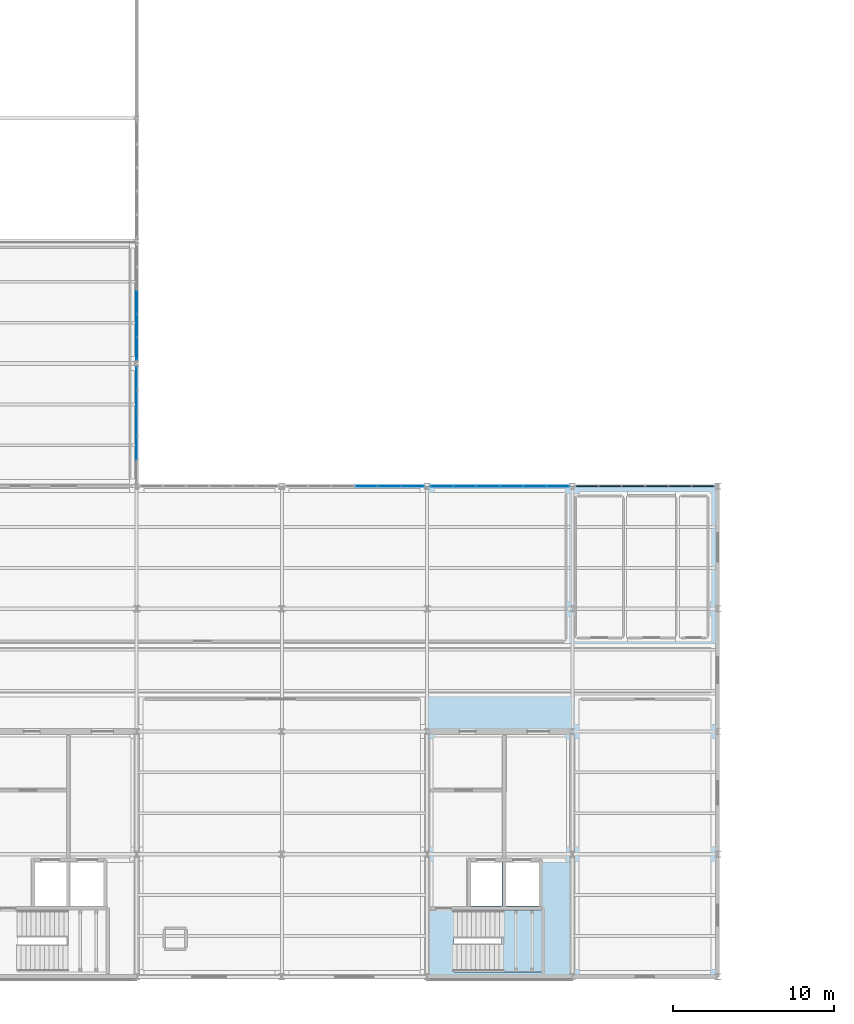
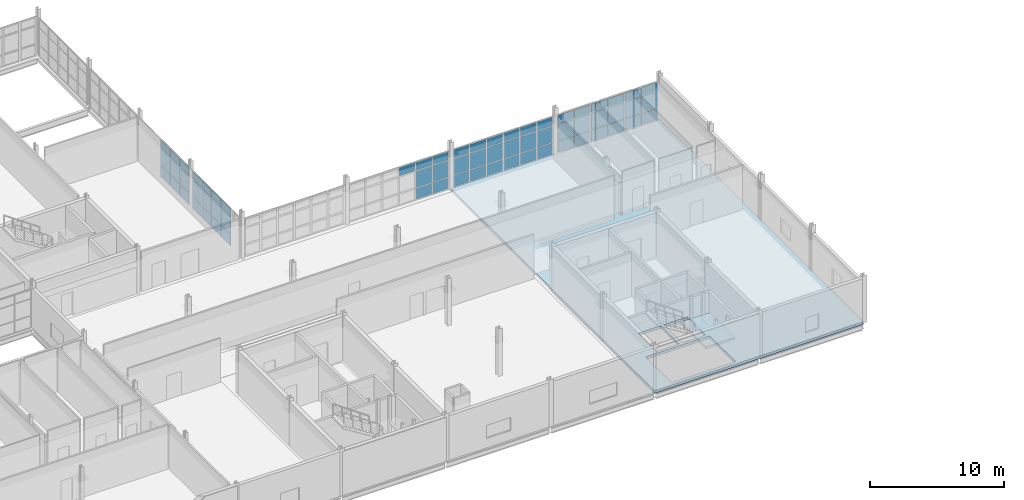
# One storey, part 132 of 174: 64 plates, 2 slabs, 6 elements without a shape of their own.
"""IFC4 building model written with IfcOpenShell, lengths in metres."""

from ifc_helpers import new_model, si_unit, direction, frame, origin, origin_2d, place, context, subcontext, project, spatial, polyline, rectangle, outline, extrude, material, layer, layer_set, type_object, element, aggregate, save


model = new_model("IFC4")

# Units and contexts
model_context = context("Model", 3, precision=1e-05, world=origin(), true_north=direction((0.0, 1.0)))
body_context = subcontext(model_context, "Body", "Model", "MODEL_VIEW")
ifc_project = project(units=[si_unit("LENGTHUNIT", "METRE"), si_unit("AREAUNIT", "SQUARE_METRE"), si_unit("VOLUMEUNIT", "CUBIC_METRE"), si_unit("PLANEANGLEUNIT", "RADIAN"), si_unit("MASSUNIT", "GRAM", prefix="KILO")], contexts=[model_context])

# Site, building, storey
site_placement = place(None, origin())
site = spatial("IfcSite", under=ifc_project, at=site_placement, CompositionType="ELEMENT")
building_placement = place(site_placement, origin())
building = spatial("IfcBuilding", under=site, at=building_placement, Name="Caisbarro Railhouse Central Library", CompositionType="ELEMENT")
storey_placement = place(building_placement, frame((0.0, 0.0, 5.0400390625)))
storey = spatial("IfcBuildingStorey", under=building, at=storey_placement, Name="L01", CompositionType="ELEMENT", Elevation=5.0400390625)

# Curtain wall, plates
ifc_material_1 = material(Name="Anodised architectural aluminium", Category="aluminium")
curtain_wall_type = type_object("IfcCurtainWallType", Name="CW-CW02", PredefinedType="NOTDEFINED", material=ifc_material_1)
curtain_wall_1_placement = place(storey_placement, origin())
curtain_wall_1 = element("IfcCurtainWall", 1, at=curtain_wall_1_placement, inside=storey, type_object=curtain_wall_type, Name="CW02 curtain wall L01 #30", PredefinedType="NOTDEFINED")
ifc_material_2 = material(Name="Double low-e laminated solar-control glass", Category="glass")
ifc_layer_1 = layer(ifc_material_2, 0.0380859375, Name="Double low-e laminated solar-control glass")
ifc_layer_set_1 = layer_set([ifc_layer_1], Name="Double low-e laminated solar-control glass")
plate_type_1 = type_object("IfcPlateType", Name="CWP-CP38", PredefinedType="CURTAIN_PANEL", material=ifc_layer_set_1)
plate_1_placement = place(storey_placement, frame((72.0, 32.743896484375, 0.06494140625), z_axis=(0.0, 0.0, 1.0), x_axis=(0.0, 1.0, 0.0)))
plate_1 = element("IfcPlate", 2, at=plate_1_placement, type_object=plate_type_1, Name="CW02 panel 2.1", PredefinedType="CURTAIN_PANEL", context=body_context, shape_type="SweptSolid", body=[
    extrude(rectangle(XDim=1.381103515625, YDim=0.0380859375, at=origin_2d()), origin(), (0.0, 0.0, 1.0), 1.0224609375),
])
plate_2_placement = place(storey_placement, frame((72.0, 32.743896484375, 1.15234375), z_axis=(0.0, 0.0, 1.0), x_axis=(0.0, 1.0, 0.0)))
plate_2 = element("IfcPlate", 3, at=plate_2_placement, type_object=plate_type_1, Name="CW02 panel 2.2", PredefinedType="CURTAIN_PANEL", context=body_context, shape_type="SweptSolid", body=[
    extrude(rectangle(XDim=1.381103515625, YDim=0.0380859375, at=origin_2d()), origin(), (0.0, 0.0, 1.0), 1.47509765625),
])
plate_3_placement = place(storey_placement, frame((72.0, 32.743896484375, 2.6923828125), z_axis=(0.0, 0.0, 1.0), x_axis=(0.0, 1.0, 0.0)))
plate_3 = element("IfcPlate", 4, at=plate_3_placement, type_object=plate_type_1, Name="CW02 panel 2.3", PredefinedType="CURTAIN_PANEL", context=body_context, shape_type="SweptSolid", body=[
    extrude(rectangle(XDim=1.381103515625, YDim=0.0380859375, at=origin_2d()), origin(), (0.0, 0.0, 1.0), 0.75244140625),
])
plate_4_placement = place(storey_placement, frame((72.0, 34.199951171875, 0.06494140625), z_axis=(0.0, 0.0, 1.0), x_axis=(0.0, 1.0, 0.0)))
plate_4 = element("IfcPlate", 5, at=plate_4_placement, type_object=plate_type_1, Name="CW02 panel 3.1", PredefinedType="CURTAIN_PANEL", context=body_context, shape_type="SweptSolid", body=[
    extrude(rectangle(XDim=1.381103515625, YDim=0.0380859375, at=origin_2d()), origin(), (0.0, 0.0, 1.0), 1.0224609375),
])
plate_5_placement = place(storey_placement, frame((72.0, 34.199951171875, 1.15234375), z_axis=(0.0, 0.0, 1.0), x_axis=(0.0, 1.0, 0.0)))
plate_5 = element("IfcPlate", 6, at=plate_5_placement, type_object=plate_type_1, Name="CW02 panel 3.2", PredefinedType="CURTAIN_PANEL", context=body_context, shape_type="SweptSolid", body=[
    extrude(rectangle(XDim=1.381103515625, YDim=0.0380859375, at=origin_2d()), origin(), (0.0, 0.0, 1.0), 1.47509765625),
])
plate_6_placement = place(storey_placement, frame((72.0, 34.199951171875, 2.6923828125), z_axis=(0.0, 0.0, 1.0), x_axis=(0.0, 1.0, 0.0)))
plate_6 = element("IfcPlate", 7, at=plate_6_placement, type_object=plate_type_1, Name="CW02 panel 3.3", PredefinedType="CURTAIN_PANEL", context=body_context, shape_type="SweptSolid", body=[
    extrude(rectangle(XDim=1.381103515625, YDim=0.0380859375, at=origin_2d()), origin(), (0.0, 0.0, 1.0), 0.75244140625),
])
plate_7_placement = place(storey_placement, frame((72.0, 35.656005859375, 0.06494140625), z_axis=(0.0, 0.0, 1.0), x_axis=(0.0, 1.0, 0.0)))
plate_7 = element("IfcPlate", 8, at=plate_7_placement, type_object=plate_type_1, Name="CW02 panel 4.1", PredefinedType="CURTAIN_PANEL", context=body_context, shape_type="SweptSolid", body=[
    extrude(rectangle(XDim=1.381103515625, YDim=0.0380859375, at=origin_2d()), origin(), (0.0, 0.0, 1.0), 1.0224609375),
])
plate_8_placement = place(storey_placement, frame((72.0, 35.656005859375, 1.15234375), z_axis=(0.0, 0.0, 1.0), x_axis=(0.0, 1.0, 0.0)))
plate_8 = element("IfcPlate", 9, at=plate_8_placement, type_object=plate_type_1, Name="CW02 panel 4.2", PredefinedType="CURTAIN_PANEL", context=body_context, shape_type="SweptSolid", body=[
    extrude(rectangle(XDim=1.381103515625, YDim=0.0380859375, at=origin_2d()), origin(), (0.0, 0.0, 1.0), 1.47509765625),
])
plate_9_placement = place(storey_placement, frame((72.0, 35.656005859375, 2.6923828125), z_axis=(0.0, 0.0, 1.0), x_axis=(0.0, 1.0, 0.0)))
plate_9 = element("IfcPlate", 10, at=plate_9_placement, type_object=plate_type_1, Name="CW02 panel 4.3", PredefinedType="CURTAIN_PANEL", context=body_context, shape_type="SweptSolid", body=[
    extrude(rectangle(XDim=1.381103515625, YDim=0.0380859375, at=origin_2d()), origin(), (0.0, 0.0, 1.0), 0.75244140625),
])
plate_10_placement = place(storey_placement, frame((72.0, 37.09326171875, 0.06494140625), z_axis=(0.0, 0.0, 1.0), x_axis=(0.0, 1.0, 0.0)))
plate_10 = element("IfcPlate", 11, at=plate_10_placement, type_object=plate_type_1, Name="CW02 panel 5.1", PredefinedType="CURTAIN_PANEL", context=body_context, shape_type="SweptSolid", body=[
    extrude(rectangle(XDim=1.343505859375, YDim=0.0380859375, at=origin_2d()), origin(), (0.0, 0.0, 1.0), 1.0224609375),
])
plate_11_placement = place(storey_placement, frame((72.0, 37.09326171875, 1.15234375), z_axis=(0.0, 0.0, 1.0), x_axis=(0.0, 1.0, 0.0)))
plate_11 = element("IfcPlate", 12, at=plate_11_placement, type_object=plate_type_1, Name="CW02 panel 5.2", PredefinedType="CURTAIN_PANEL", context=body_context, shape_type="SweptSolid", body=[
    extrude(rectangle(XDim=1.343505859375, YDim=0.0380859375, at=origin_2d()), origin(), (0.0, 0.0, 1.0), 1.47509765625),
])
plate_12_placement = place(storey_placement, frame((72.0, 37.09326171875, 2.6923828125), z_axis=(0.0, 0.0, 1.0), x_axis=(0.0, 1.0, 0.0)))
plate_12 = element("IfcPlate", 13, at=plate_12_placement, type_object=plate_type_1, Name="CW02 panel 5.3", PredefinedType="CURTAIN_PANEL", context=body_context, shape_type="SweptSolid", body=[
    extrude(rectangle(XDim=1.343505859375, YDim=0.0380859375, at=origin_2d()), origin(), (0.0, 0.0, 1.0), 0.75244140625),
])
aggregate(curtain_wall_1, [plate_1, plate_2, plate_3, plate_4, plate_5, plate_6, plate_7, plate_8, plate_9, plate_10, plate_11, plate_12])

curtain_wall_2_placement = place(storey_placement, origin())
curtain_wall_2 = element("IfcCurtainWall", 14, at=curtain_wall_2_placement, inside=storey, type_object=curtain_wall_type, Name="CW02 curtain wall L01 #31", PredefinedType="NOTDEFINED")
ifc_layer_2 = layer(ifc_material_2, 0.048095703125, Name="Double low-e laminated solar-control glass")
ifc_layer_set_2 = layer_set([ifc_layer_2], Name="Double low-e laminated solar-control glass")
plate_type_2 = type_object("IfcPlateType", Name="CWP-CP48", PredefinedType="CURTAIN_PANEL", material=ifc_layer_set_2)
plate_13_placement = place(storey_placement, frame((72.0, 38.90673828125, 0.06494140625), z_axis=(0.0, 0.0, 1.0), x_axis=(0.0, 1.0, 0.0)))
plate_13 = element("IfcPlate", 15, at=plate_13_placement, type_object=plate_type_2, Name="CW02 panel 1.1", PredefinedType="CURTAIN_PANEL", context=body_context, shape_type="SweptSolid", body=[
    extrude(rectangle(XDim=1.343505859375, YDim=0.048095703125, at=origin_2d()), origin(), (0.0, 0.0, 1.0), 1.0224609375),
])
plate_14_placement = place(storey_placement, frame((72.0, 38.90673828125, 1.15234375), z_axis=(0.0, 0.0, 1.0), x_axis=(0.0, 1.0, 0.0)))
plate_14 = element("IfcPlate", 16, at=plate_14_placement, type_object=plate_type_2, Name="CW02 panel 1.2", PredefinedType="CURTAIN_PANEL", context=body_context, shape_type="SweptSolid", body=[
    extrude(rectangle(XDim=1.343505859375, YDim=0.048095703125, at=origin_2d()), origin(), (0.0, 0.0, 1.0), 1.47509765625),
])
plate_15_placement = place(storey_placement, frame((72.0, 38.90673828125, 2.6923828125), z_axis=(0.0, 0.0, 1.0), x_axis=(0.0, 1.0, 0.0)))
plate_15 = element("IfcPlate", 17, at=plate_15_placement, type_object=plate_type_2, Name="CW02 panel 1.3", PredefinedType="CURTAIN_PANEL", context=body_context, shape_type="SweptSolid", body=[
    extrude(rectangle(XDim=1.343505859375, YDim=0.048095703125, at=origin_2d()), origin(), (0.0, 0.0, 1.0), 0.75244140625),
])
plate_16_placement = place(storey_placement, frame((72.0, 40.343994140625, 0.06494140625), z_axis=(0.0, 0.0, 1.0), x_axis=(0.0, 1.0, 0.0)))
plate_16 = element("IfcPlate", 18, at=plate_16_placement, type_object=plate_type_2, Name="CW02 panel 2.1", PredefinedType="CURTAIN_PANEL", context=body_context, shape_type="SweptSolid", body=[
    extrude(rectangle(XDim=1.381103515625, YDim=0.048095703125, at=origin_2d()), origin(), (0.0, 0.0, 1.0), 1.0224609375),
])
plate_17_placement = place(storey_placement, frame((72.0, 40.343994140625, 1.15234375), z_axis=(0.0, 0.0, 1.0), x_axis=(0.0, 1.0, 0.0)))
plate_17 = element("IfcPlate", 19, at=plate_17_placement, type_object=plate_type_2, Name="CW02 panel 2.2", PredefinedType="CURTAIN_PANEL", context=body_context, shape_type="SweptSolid", body=[
    extrude(rectangle(XDim=1.381103515625, YDim=0.048095703125, at=origin_2d()), origin(), (0.0, 0.0, 1.0), 1.47509765625),
])
plate_18_placement = place(storey_placement, frame((72.0, 40.343994140625, 2.6923828125), z_axis=(0.0, 0.0, 1.0), x_axis=(0.0, 1.0, 0.0)))
plate_18 = element("IfcPlate", 20, at=plate_18_placement, type_object=plate_type_2, Name="CW02 panel 2.3", PredefinedType="CURTAIN_PANEL", context=body_context, shape_type="SweptSolid", body=[
    extrude(rectangle(XDim=1.381103515625, YDim=0.048095703125, at=origin_2d()), origin(), (0.0, 0.0, 1.0), 0.75244140625),
])
plate_19_placement = place(storey_placement, frame((72.0, 41.800048828125, 0.06494140625), z_axis=(0.0, 0.0, 1.0), x_axis=(0.0, 1.0, 0.0)))
plate_19 = element("IfcPlate", 21, at=plate_19_placement, type_object=plate_type_2, Name="CW02 panel 3.1", PredefinedType="CURTAIN_PANEL", context=body_context, shape_type="SweptSolid", body=[
    extrude(rectangle(XDim=1.381103515625, YDim=0.048095703125, at=origin_2d()), origin(), (0.0, 0.0, 1.0), 1.0224609375),
])
plate_20_placement = place(storey_placement, frame((72.0, 41.800048828125, 1.15234375), z_axis=(0.0, 0.0, 1.0), x_axis=(0.0, 1.0, 0.0)))
plate_20 = element("IfcPlate", 22, at=plate_20_placement, type_object=plate_type_2, Name="CW02 panel 3.2", PredefinedType="CURTAIN_PANEL", context=body_context, shape_type="SweptSolid", body=[
    extrude(rectangle(XDim=1.381103515625, YDim=0.048095703125, at=origin_2d()), origin(), (0.0, 0.0, 1.0), 1.47509765625),
])
plate_21_placement = place(storey_placement, frame((72.0, 41.800048828125, 2.6923828125), z_axis=(0.0, 0.0, 1.0), x_axis=(0.0, 1.0, 0.0)))
plate_21 = element("IfcPlate", 23, at=plate_21_placement, type_object=plate_type_2, Name="CW02 panel 3.3", PredefinedType="CURTAIN_PANEL", context=body_context, shape_type="SweptSolid", body=[
    extrude(rectangle(XDim=1.381103515625, YDim=0.048095703125, at=origin_2d()), origin(), (0.0, 0.0, 1.0), 0.75244140625),
])
aggregate(curtain_wall_2, [plate_13, plate_14, plate_15, plate_16, plate_17, plate_18, plate_19, plate_20, plate_21])

curtain_wall_3_placement = place(storey_placement, origin())
curtain_wall_3 = element("IfcCurtainWall", 24, at=curtain_wall_3_placement, inside=storey, type_object=curtain_wall_type, Name="CW02 curtain wall L01 #55", PredefinedType="NOTDEFINED")
plate_22_placement = place(storey_placement, frame((86.223388671875, 30.39990234375, 2.697265625), z_axis=(0.0, 0.0, 1.0), x_axis=(1.0, 0.0, 0.0)))
plate_22 = element("IfcPlate", 25, at=plate_22_placement, type_object=plate_type_2, Name="CW02 panel 4.3", PredefinedType="CURTAIN_PANEL", context=body_context, shape_type="SweptSolid", body=[
    extrude(rectangle(XDim=1.381591796875, YDim=0.048095703125, at=origin_2d()), origin(), (0.0, 0.0, 1.0), 0.737548828125),
])
plate_23_placement = place(storey_placement, frame((87.669921875, 30.39990234375, 0.07470703125), z_axis=(0.0, 0.0, 1.0), x_axis=(1.0, 0.0, 0.0)))
plate_23 = element("IfcPlate", 26, at=plate_23_placement, type_object=plate_type_2, Name="CW02 panel 5.1", PredefinedType="CURTAIN_PANEL", context=body_context, shape_type="SweptSolid", body=[
    extrude(rectangle(XDim=1.381591796875, YDim=0.048095703125, at=origin_2d()), origin(), (0.0, 0.0, 1.0), 1.007568359375),
])
plate_24_placement = place(storey_placement, frame((87.669921875, 30.39990234375, 1.1572265625), z_axis=(0.0, 0.0, 1.0), x_axis=(1.0, 0.0, 0.0)))
plate_24 = element("IfcPlate", 27, at=plate_24_placement, type_object=plate_type_2, Name="CW02 panel 5.2", PredefinedType="CURTAIN_PANEL", context=body_context, shape_type="SweptSolid", body=[
    extrude(rectangle(XDim=1.381591796875, YDim=0.048095703125, at=origin_2d()), origin(), (0.0, 0.0, 1.0), 1.465087890625),
])
plate_25_placement = place(storey_placement, frame((87.669921875, 30.39990234375, 2.697265625), z_axis=(0.0, 0.0, 1.0), x_axis=(1.0, 0.0, 0.0)))
plate_25 = element("IfcPlate", 28, at=plate_25_placement, type_object=plate_type_2, Name="CW02 panel 5.3", PredefinedType="CURTAIN_PANEL", context=body_context, shape_type="SweptSolid", body=[
    extrude(rectangle(XDim=1.381591796875, YDim=0.048095703125, at=origin_2d()), origin(), (0.0, 0.0, 1.0), 0.737548828125),
])
plate_26_placement = place(storey_placement, frame((89.100341796875, 30.39990234375, 0.07470703125), z_axis=(0.0, 0.0, 1.0), x_axis=(1.0, 0.0, 0.0)))
plate_26 = element("IfcPlate", 29, at=plate_26_placement, type_object=plate_type_2, Name="CW02 panel 6.1", PredefinedType="CURTAIN_PANEL", context=body_context, shape_type="SweptSolid", body=[
    extrude(rectangle(XDim=1.34912109375, YDim=0.048095703125, at=origin_2d()), origin(), (0.0, 0.0, 1.0), 1.007568359375),
])
plate_27_placement = place(storey_placement, frame((89.100341796875, 30.39990234375, 1.1572265625), z_axis=(0.0, 0.0, 1.0), x_axis=(1.0, 0.0, 0.0)))
plate_27 = element("IfcPlate", 30, at=plate_27_placement, type_object=plate_type_2, Name="CW02 panel 6.2", PredefinedType="CURTAIN_PANEL", context=body_context, shape_type="SweptSolid", body=[
    extrude(rectangle(XDim=1.34912109375, YDim=0.048095703125, at=origin_2d()), origin(), (0.0, 0.0, 1.0), 1.465087890625),
])
plate_28_placement = place(storey_placement, frame((89.100341796875, 30.39990234375, 2.697265625), z_axis=(0.0, 0.0, 1.0), x_axis=(1.0, 0.0, 0.0)))
plate_28 = element("IfcPlate", 31, at=plate_28_placement, type_object=plate_type_2, Name="CW02 panel 6.3", PredefinedType="CURTAIN_PANEL", context=body_context, shape_type="SweptSolid", body=[
    extrude(rectangle(XDim=1.34912109375, YDim=0.048095703125, at=origin_2d()), origin(), (0.0, 0.0, 1.0), 0.737548828125),
])
aggregate(curtain_wall_3, [plate_22, plate_23, plate_24, plate_25, plate_26, plate_27, plate_28])

curtain_wall_4_placement = place(storey_placement, origin())
curtain_wall_4 = element("IfcCurtainWall", 32, at=curtain_wall_4_placement, inside=storey, type_object=curtain_wall_type, Name="CW02 curtain wall L01 #56", PredefinedType="NOTDEFINED")
ifc_layer_3 = layer(ifc_material_2, 0.05810546875, Name="Double low-e laminated solar-control glass")
ifc_layer_set_3 = layer_set([ifc_layer_3], Name="Double low-e laminated solar-control glass")
plate_type_3 = type_object("IfcPlateType", Name="CWP-CP58", PredefinedType="CURTAIN_PANEL", material=ifc_layer_set_3)
plate_29_placement = place(storey_placement, frame((90.902099609375, 30.39990234375, 0.07470703125), z_axis=(0.0, 0.0, 1.0), x_axis=(1.0, 0.0, 0.0)))
plate_29 = element("IfcPlate", 33, at=plate_29_placement, type_object=plate_type_3, Name="CW02 panel 1.1", PredefinedType="CURTAIN_PANEL", context=body_context, shape_type="SweptSolid", body=[
    extrude(rectangle(XDim=1.334228515625, YDim=0.05810546875, at=origin_2d()), origin(), (0.0, 0.0, 1.0), 1.007568359375),
])
plate_30_placement = place(storey_placement, frame((90.902099609375, 30.39990234375, 1.1572265625), z_axis=(0.0, 0.0, 1.0), x_axis=(1.0, 0.0, 0.0)))
plate_30 = element("IfcPlate", 34, at=plate_30_placement, type_object=plate_type_3, Name="CW02 panel 1.2", PredefinedType="CURTAIN_PANEL", context=body_context, shape_type="SweptSolid", body=[
    extrude(rectangle(XDim=1.334228515625, YDim=0.05810546875, at=origin_2d()), origin(), (0.0, 0.0, 1.0), 1.465087890625),
])
plate_31_placement = place(storey_placement, frame((90.902099609375, 30.39990234375, 2.697265625), z_axis=(0.0, 0.0, 1.0), x_axis=(1.0, 0.0, 0.0)))
plate_31 = element("IfcPlate", 35, at=plate_31_placement, type_object=plate_type_3, Name="CW02 panel 1.3", PredefinedType="CURTAIN_PANEL", context=body_context, shape_type="SweptSolid", body=[
    extrude(rectangle(XDim=1.334228515625, YDim=0.05810546875, at=origin_2d()), origin(), (0.0, 0.0, 1.0), 0.737548828125),
])
plate_32_placement = place(storey_placement, frame((92.330078125, 30.39990234375, 0.07470703125), z_axis=(0.0, 0.0, 1.0), x_axis=(1.0, 0.0, 0.0)))
plate_32 = element("IfcPlate", 36, at=plate_32_placement, type_object=plate_type_3, Name="CW02 panel 2.1", PredefinedType="CURTAIN_PANEL", context=body_context, shape_type="SweptSolid", body=[
    extrude(rectangle(XDim=1.37158203125, YDim=0.05810546875, at=origin_2d()), origin(), (0.0, 0.0, 1.0), 1.007568359375),
])
plate_33_placement = place(storey_placement, frame((92.330078125, 30.39990234375, 1.1572265625), z_axis=(0.0, 0.0, 1.0), x_axis=(1.0, 0.0, 0.0)))
plate_33 = element("IfcPlate", 37, at=plate_33_placement, type_object=plate_type_3, Name="CW02 panel 2.2", PredefinedType="CURTAIN_PANEL", context=body_context, shape_type="SweptSolid", body=[
    extrude(rectangle(XDim=1.37158203125, YDim=0.05810546875, at=origin_2d()), origin(), (0.0, 0.0, 1.0), 1.465087890625),
])
plate_34_placement = place(storey_placement, frame((92.330078125, 30.39990234375, 2.697265625), z_axis=(0.0, 0.0, 1.0), x_axis=(1.0, 0.0, 0.0)))
plate_34 = element("IfcPlate", 38, at=plate_34_placement, type_object=plate_type_3, Name="CW02 panel 2.3", PredefinedType="CURTAIN_PANEL", context=body_context, shape_type="SweptSolid", body=[
    extrude(rectangle(XDim=1.37158203125, YDim=0.05810546875, at=origin_2d()), origin(), (0.0, 0.0, 1.0), 0.737548828125),
])
plate_35_placement = place(storey_placement, frame((93.776611328125, 30.39990234375, 0.07470703125), z_axis=(0.0, 0.0, 1.0), x_axis=(1.0, 0.0, 0.0)))
plate_35 = element("IfcPlate", 39, at=plate_35_placement, type_object=plate_type_3, Name="CW02 panel 3.1", PredefinedType="CURTAIN_PANEL", context=body_context, shape_type="SweptSolid", body=[
    extrude(rectangle(XDim=1.37158203125, YDim=0.05810546875, at=origin_2d()), origin(), (0.0, 0.0, 1.0), 1.007568359375),
])
plate_36_placement = place(storey_placement, frame((93.776611328125, 30.39990234375, 1.1572265625), z_axis=(0.0, 0.0, 1.0), x_axis=(1.0, 0.0, 0.0)))
plate_36 = element("IfcPlate", 40, at=plate_36_placement, type_object=plate_type_3, Name="CW02 panel 3.2", PredefinedType="CURTAIN_PANEL", context=body_context, shape_type="SweptSolid", body=[
    extrude(rectangle(XDim=1.37158203125, YDim=0.05810546875, at=origin_2d()), origin(), (0.0, 0.0, 1.0), 1.465087890625),
])
plate_37_placement = place(storey_placement, frame((93.776611328125, 30.39990234375, 2.697265625), z_axis=(0.0, 0.0, 1.0), x_axis=(1.0, 0.0, 0.0)))
plate_37 = element("IfcPlate", 41, at=plate_37_placement, type_object=plate_type_3, Name="CW02 panel 3.3", PredefinedType="CURTAIN_PANEL", context=body_context, shape_type="SweptSolid", body=[
    extrude(rectangle(XDim=1.37158203125, YDim=0.05810546875, at=origin_2d()), origin(), (0.0, 0.0, 1.0), 0.737548828125),
])
plate_38_placement = place(storey_placement, frame((95.223388671875, 30.39990234375, 0.07470703125), z_axis=(0.0, 0.0, 1.0), x_axis=(1.0, 0.0, 0.0)))
plate_38 = element("IfcPlate", 42, at=plate_38_placement, type_object=plate_type_3, Name="CW02 panel 4.1", PredefinedType="CURTAIN_PANEL", context=body_context, shape_type="SweptSolid", body=[
    extrude(rectangle(XDim=1.37158203125, YDim=0.05810546875, at=origin_2d()), origin(), (0.0, 0.0, 1.0), 1.007568359375),
])
plate_39_placement = place(storey_placement, frame((95.223388671875, 30.39990234375, 1.1572265625), z_axis=(0.0, 0.0, 1.0), x_axis=(1.0, 0.0, 0.0)))
plate_39 = element("IfcPlate", 43, at=plate_39_placement, type_object=plate_type_3, Name="CW02 panel 4.2", PredefinedType="CURTAIN_PANEL", context=body_context, shape_type="SweptSolid", body=[
    extrude(rectangle(XDim=1.37158203125, YDim=0.05810546875, at=origin_2d()), origin(), (0.0, 0.0, 1.0), 1.465087890625),
])
plate_40_placement = place(storey_placement, frame((95.223388671875, 30.39990234375, 2.697265625), z_axis=(0.0, 0.0, 1.0), x_axis=(1.0, 0.0, 0.0)))
plate_40 = element("IfcPlate", 44, at=plate_40_placement, type_object=plate_type_3, Name="CW02 panel 4.3", PredefinedType="CURTAIN_PANEL", context=body_context, shape_type="SweptSolid", body=[
    extrude(rectangle(XDim=1.37158203125, YDim=0.05810546875, at=origin_2d()), origin(), (0.0, 0.0, 1.0), 0.737548828125),
])
plate_41_placement = place(storey_placement, frame((96.669921875, 30.39990234375, 0.07470703125), z_axis=(0.0, 0.0, 1.0), x_axis=(1.0, 0.0, 0.0)))
plate_41 = element("IfcPlate", 45, at=plate_41_placement, type_object=plate_type_3, Name="CW02 panel 5.1", PredefinedType="CURTAIN_PANEL", context=body_context, shape_type="SweptSolid", body=[
    extrude(rectangle(XDim=1.37158203125, YDim=0.05810546875, at=origin_2d()), origin(), (0.0, 0.0, 1.0), 1.007568359375),
])
plate_42_placement = place(storey_placement, frame((96.669921875, 30.39990234375, 1.1572265625), z_axis=(0.0, 0.0, 1.0), x_axis=(1.0, 0.0, 0.0)))
plate_42 = element("IfcPlate", 46, at=plate_42_placement, type_object=plate_type_3, Name="CW02 panel 5.2", PredefinedType="CURTAIN_PANEL", context=body_context, shape_type="SweptSolid", body=[
    extrude(rectangle(XDim=1.37158203125, YDim=0.05810546875, at=origin_2d()), origin(), (0.0, 0.0, 1.0), 1.465087890625),
])
plate_43_placement = place(storey_placement, frame((96.669921875, 30.39990234375, 2.697265625), z_axis=(0.0, 0.0, 1.0), x_axis=(1.0, 0.0, 0.0)))
plate_43 = element("IfcPlate", 47, at=plate_43_placement, type_object=plate_type_3, Name="CW02 panel 5.3", PredefinedType="CURTAIN_PANEL", context=body_context, shape_type="SweptSolid", body=[
    extrude(rectangle(XDim=1.37158203125, YDim=0.05810546875, at=origin_2d()), origin(), (0.0, 0.0, 1.0), 0.737548828125),
])
plate_44_placement = place(storey_placement, frame((98.097900390625, 30.39990234375, 0.07470703125), z_axis=(0.0, 0.0, 1.0), x_axis=(1.0, 0.0, 0.0)))
plate_44 = element("IfcPlate", 48, at=plate_44_placement, type_object=plate_type_3, Name="CW02 panel 6.1", PredefinedType="CURTAIN_PANEL", context=body_context, shape_type="SweptSolid", body=[
    extrude(rectangle(XDim=1.334228515625, YDim=0.05810546875, at=origin_2d()), origin(), (0.0, 0.0, 1.0), 1.007568359375),
])
plate_45_placement = place(storey_placement, frame((98.097900390625, 30.39990234375, 1.1572265625), z_axis=(0.0, 0.0, 1.0), x_axis=(1.0, 0.0, 0.0)))
plate_45 = element("IfcPlate", 49, at=plate_45_placement, type_object=plate_type_3, Name="CW02 panel 6.2", PredefinedType="CURTAIN_PANEL", context=body_context, shape_type="SweptSolid", body=[
    extrude(rectangle(XDim=1.334228515625, YDim=0.05810546875, at=origin_2d()), origin(), (0.0, 0.0, 1.0), 1.465087890625),
])
plate_46_placement = place(storey_placement, frame((98.097900390625, 30.39990234375, 2.697265625), z_axis=(0.0, 0.0, 1.0), x_axis=(1.0, 0.0, 0.0)))
plate_46 = element("IfcPlate", 50, at=plate_46_placement, type_object=plate_type_3, Name="CW02 panel 6.3", PredefinedType="CURTAIN_PANEL", context=body_context, shape_type="SweptSolid", body=[
    extrude(rectangle(XDim=1.334228515625, YDim=0.05810546875, at=origin_2d()), origin(), (0.0, 0.0, 1.0), 0.737548828125),
])
aggregate(curtain_wall_4, [plate_29, plate_30, plate_31, plate_32, plate_33, plate_34, plate_35, plate_36, plate_37, plate_38, plate_39, plate_40, plate_41, plate_42, plate_43, plate_44, plate_45, plate_46])

curtain_wall_5_placement = place(storey_placement, origin())
curtain_wall_5 = element("IfcCurtainWall", 51, at=curtain_wall_5_placement, inside=storey, type_object=curtain_wall_type, Name="CW02 curtain wall L01 #57", PredefinedType="NOTDEFINED")
ifc_layer_4 = layer(ifc_material_2, 0.068115234375, Name="Double low-e laminated solar-control glass")
ifc_layer_set_4 = layer_set([ifc_layer_4], Name="Double low-e laminated solar-control glass")
plate_type_4 = type_object("IfcPlateType", Name="CWP-CP68", PredefinedType="CURTAIN_PANEL", material=ifc_layer_set_4)
plate_47_placement = place(storey_placement, frame((99.899658203125, 30.39990234375, 0.07470703125), z_axis=(0.0, 0.0, 1.0), x_axis=(1.0, 0.0, 0.0)))
plate_47 = element("IfcPlate", 52, at=plate_47_placement, type_object=plate_type_4, Name="CW02 panel 1.1", PredefinedType="CURTAIN_PANEL", context=body_context, shape_type="SweptSolid", body=[
    extrude(rectangle(XDim=1.34912109375, YDim=0.068115234375, at=origin_2d()), origin(), (0.0, 0.0, 1.0), 1.007568359375),
])
plate_48_placement = place(storey_placement, frame((99.899658203125, 30.39990234375, 1.1572265625), z_axis=(0.0, 0.0, 1.0), x_axis=(1.0, 0.0, 0.0)))
plate_48 = element("IfcPlate", 53, at=plate_48_placement, type_object=plate_type_4, Name="CW02 panel 1.2", PredefinedType="CURTAIN_PANEL", context=body_context, shape_type="SweptSolid", body=[
    extrude(rectangle(XDim=1.34912109375, YDim=0.068115234375, at=origin_2d()), origin(), (0.0, 0.0, 1.0), 1.465087890625),
])
plate_49_placement = place(storey_placement, frame((99.899658203125, 30.39990234375, 2.697265625), z_axis=(0.0, 0.0, 1.0), x_axis=(1.0, 0.0, 0.0)))
plate_49 = element("IfcPlate", 54, at=plate_49_placement, type_object=plate_type_4, Name="CW02 panel 1.3", PredefinedType="CURTAIN_PANEL", context=body_context, shape_type="SweptSolid", body=[
    extrude(rectangle(XDim=1.34912109375, YDim=0.068115234375, at=origin_2d()), origin(), (0.0, 0.0, 1.0), 0.737548828125),
])
plate_50_placement = place(storey_placement, frame((101.330078125, 30.39990234375, 0.07470703125), z_axis=(0.0, 0.0, 1.0), x_axis=(1.0, 0.0, 0.0)))
plate_50 = element("IfcPlate", 55, at=plate_50_placement, type_object=plate_type_4, Name="CW02 panel 2.1", PredefinedType="CURTAIN_PANEL", context=body_context, shape_type="SweptSolid", body=[
    extrude(rectangle(XDim=1.381591796875, YDim=0.068115234375, at=origin_2d()), origin(), (0.0, 0.0, 1.0), 1.007568359375),
])
plate_51_placement = place(storey_placement, frame((101.330078125, 30.39990234375, 1.1572265625), z_axis=(0.0, 0.0, 1.0), x_axis=(1.0, 0.0, 0.0)))
plate_51 = element("IfcPlate", 56, at=plate_51_placement, type_object=plate_type_4, Name="CW02 panel 2.2", PredefinedType="CURTAIN_PANEL", context=body_context, shape_type="SweptSolid", body=[
    extrude(rectangle(XDim=1.381591796875, YDim=0.068115234375, at=origin_2d()), origin(), (0.0, 0.0, 1.0), 1.465087890625),
])
plate_52_placement = place(storey_placement, frame((101.330078125, 30.39990234375, 2.697265625), z_axis=(0.0, 0.0, 1.0), x_axis=(1.0, 0.0, 0.0)))
plate_52 = element("IfcPlate", 57, at=plate_52_placement, type_object=plate_type_4, Name="CW02 panel 2.3", PredefinedType="CURTAIN_PANEL", context=body_context, shape_type="SweptSolid", body=[
    extrude(rectangle(XDim=1.381591796875, YDim=0.068115234375, at=origin_2d()), origin(), (0.0, 0.0, 1.0), 0.737548828125),
])
plate_53_placement = place(storey_placement, frame((102.776611328125, 30.39990234375, 0.07470703125), z_axis=(0.0, 0.0, 1.0), x_axis=(1.0, 0.0, 0.0)))
plate_53 = element("IfcPlate", 58, at=plate_53_placement, type_object=plate_type_4, Name="CW02 panel 3.1", PredefinedType="CURTAIN_PANEL", context=body_context, shape_type="SweptSolid", body=[
    extrude(rectangle(XDim=1.381591796875, YDim=0.068115234375, at=origin_2d()), origin(), (0.0, 0.0, 1.0), 1.007568359375),
])
plate_54_placement = place(storey_placement, frame((102.776611328125, 30.39990234375, 1.1572265625), z_axis=(0.0, 0.0, 1.0), x_axis=(1.0, 0.0, 0.0)))
plate_54 = element("IfcPlate", 59, at=plate_54_placement, type_object=plate_type_4, Name="CW02 panel 3.2", PredefinedType="CURTAIN_PANEL", context=body_context, shape_type="SweptSolid", body=[
    extrude(rectangle(XDim=1.381591796875, YDim=0.068115234375, at=origin_2d()), origin(), (0.0, 0.0, 1.0), 1.465087890625),
])
plate_55_placement = place(storey_placement, frame((102.776611328125, 30.39990234375, 2.697265625), z_axis=(0.0, 0.0, 1.0), x_axis=(1.0, 0.0, 0.0)))
plate_55 = element("IfcPlate", 60, at=plate_55_placement, type_object=plate_type_4, Name="CW02 panel 3.3", PredefinedType="CURTAIN_PANEL", context=body_context, shape_type="SweptSolid", body=[
    extrude(rectangle(XDim=1.381591796875, YDim=0.068115234375, at=origin_2d()), origin(), (0.0, 0.0, 1.0), 0.737548828125),
])
plate_56_placement = place(storey_placement, frame((104.223388671875, 30.39990234375, 0.07470703125), z_axis=(0.0, 0.0, 1.0), x_axis=(1.0, 0.0, 0.0)))
plate_56 = element("IfcPlate", 61, at=plate_56_placement, type_object=plate_type_4, Name="CW02 panel 4.1", PredefinedType="CURTAIN_PANEL", context=body_context, shape_type="SweptSolid", body=[
    extrude(rectangle(XDim=1.381591796875, YDim=0.068115234375, at=origin_2d()), origin(), (0.0, 0.0, 1.0), 1.007568359375),
])
plate_57_placement = place(storey_placement, frame((104.223388671875, 30.39990234375, 1.1572265625), z_axis=(0.0, 0.0, 1.0), x_axis=(1.0, 0.0, 0.0)))
plate_57 = element("IfcPlate", 62, at=plate_57_placement, type_object=plate_type_4, Name="CW02 panel 4.2", PredefinedType="CURTAIN_PANEL", context=body_context, shape_type="SweptSolid", body=[
    extrude(rectangle(XDim=1.381591796875, YDim=0.068115234375, at=origin_2d()), origin(), (0.0, 0.0, 1.0), 1.465087890625),
])
plate_58_placement = place(storey_placement, frame((104.223388671875, 30.39990234375, 2.697265625), z_axis=(0.0, 0.0, 1.0), x_axis=(1.0, 0.0, 0.0)))
plate_58 = element("IfcPlate", 63, at=plate_58_placement, type_object=plate_type_4, Name="CW02 panel 4.3", PredefinedType="CURTAIN_PANEL", context=body_context, shape_type="SweptSolid", body=[
    extrude(rectangle(XDim=1.381591796875, YDim=0.068115234375, at=origin_2d()), origin(), (0.0, 0.0, 1.0), 0.737548828125),
])
plate_59_placement = place(storey_placement, frame((105.669921875, 30.39990234375, 0.07470703125), z_axis=(0.0, 0.0, 1.0), x_axis=(1.0, 0.0, 0.0)))
plate_59 = element("IfcPlate", 64, at=plate_59_placement, type_object=plate_type_4, Name="CW02 panel 5.1", PredefinedType="CURTAIN_PANEL", context=body_context, shape_type="SweptSolid", body=[
    extrude(rectangle(XDim=1.381591796875, YDim=0.068115234375, at=origin_2d()), origin(), (0.0, 0.0, 1.0), 1.007568359375),
])
plate_60_placement = place(storey_placement, frame((105.669921875, 30.39990234375, 1.1572265625), z_axis=(0.0, 0.0, 1.0), x_axis=(1.0, 0.0, 0.0)))
plate_60 = element("IfcPlate", 65, at=plate_60_placement, type_object=plate_type_4, Name="CW02 panel 5.2", PredefinedType="CURTAIN_PANEL", context=body_context, shape_type="SweptSolid", body=[
    extrude(rectangle(XDim=1.381591796875, YDim=0.068115234375, at=origin_2d()), origin(), (0.0, 0.0, 1.0), 1.465087890625),
])
plate_61_placement = place(storey_placement, frame((105.669921875, 30.39990234375, 2.697265625), z_axis=(0.0, 0.0, 1.0), x_axis=(1.0, 0.0, 0.0)))
plate_61 = element("IfcPlate", 66, at=plate_61_placement, type_object=plate_type_4, Name="CW02 panel 5.3", PredefinedType="CURTAIN_PANEL", context=body_context, shape_type="SweptSolid", body=[
    extrude(rectangle(XDim=1.381591796875, YDim=0.068115234375, at=origin_2d()), origin(), (0.0, 0.0, 1.0), 0.737548828125),
])
plate_62_placement = place(storey_placement, frame((107.100341796875, 30.39990234375, 0.07470703125), z_axis=(0.0, 0.0, 1.0), x_axis=(1.0, 0.0, 0.0)))
plate_62 = element("IfcPlate", 67, at=plate_62_placement, type_object=plate_type_4, Name="CW02 panel 6.1", PredefinedType="CURTAIN_PANEL", context=body_context, shape_type="SweptSolid", body=[
    extrude(rectangle(XDim=1.34912109375, YDim=0.068115234375, at=origin_2d()), origin(), (0.0, 0.0, 1.0), 1.007568359375),
])
plate_63_placement = place(storey_placement, frame((107.100341796875, 30.39990234375, 1.1572265625), z_axis=(0.0, 0.0, 1.0), x_axis=(1.0, 0.0, 0.0)))
plate_63 = element("IfcPlate", 68, at=plate_63_placement, type_object=plate_type_4, Name="CW02 panel 6.2", PredefinedType="CURTAIN_PANEL", context=body_context, shape_type="SweptSolid", body=[
    extrude(rectangle(XDim=1.34912109375, YDim=0.068115234375, at=origin_2d()), origin(), (0.0, 0.0, 1.0), 1.465087890625),
])
plate_64_placement = place(storey_placement, frame((107.100341796875, 30.39990234375, 2.697265625), z_axis=(0.0, 0.0, 1.0), x_axis=(1.0, 0.0, 0.0)))
plate_64 = element("IfcPlate", 69, at=plate_64_placement, type_object=plate_type_4, Name="CW02 panel 6.3", PredefinedType="CURTAIN_PANEL", context=body_context, shape_type="SweptSolid", body=[
    extrude(rectangle(XDim=1.34912109375, YDim=0.068115234375, at=origin_2d()), origin(), (0.0, 0.0, 1.0), 0.737548828125),
])
aggregate(curtain_wall_5, [plate_47, plate_48, plate_49, plate_50, plate_51, plate_52, plate_53, plate_54, plate_55, plate_56, plate_57, plate_58, plate_59, plate_60, plate_61, plate_62, plate_63, plate_64])

# Slab
ifc_material_3 = material(Name="Concrete C35", Category="concrete")
ifc_layer_5 = layer(ifc_material_3, 0.239990234375, Name="Concrete C35")
ifc_layer_set_5 = layer_set([ifc_layer_5], Name="Concrete C35")
slab_type_1 = type_object("IfcSlabType", Name="SLB-FL24", PredefinedType="FLOOR", material=ifc_layer_set_5)
slab_1_placement = place(storey_placement, frame((0.0, 0.0, -0.239990234375)))
element("IfcSlab", 70, at=slab_1_placement, inside=storey, type_object=slab_type_1, Name="SF24 structural slab L01 V5.3", PredefinedType="FLOOR", context=body_context, shape_type="SweptSolid", body=[
    extrude(outline(polyline([(90.0, 0.0), (108.0, 0.0), (108.0, 30.39990234375), (90.0, 30.39990234375), (90.0, 0.0)]), holes=[polyline([(91.64990234375, 0.300048828125), (97.14990234375, 0.300048828125), (97.14990234375, 4.14990234375), (91.64990234375, 4.14990234375), (91.64990234375, 0.300048828125)]), polyline([(92.699951171875, 4.39990234375), (94.64990234375, 4.39990234375), (94.64990234375, 7.10009765625), (92.699951171875, 7.10009765625), (92.699951171875, 4.39990234375)]), polyline([(94.89990234375, 4.39990234375), (96.949951171875, 4.39990234375), (96.949951171875, 7.10009765625), (94.89990234375, 7.10009765625), (94.89990234375, 4.39990234375)])]), origin(), (0.0, 0.0, 1.0), 0.239990234375),
])

# Stair, slab
stair_type = type_object("IfcStairType", Name="STR-ST43B", PredefinedType="HALF_TURN_STAIR", material=ifc_material_3)
stair_placement = place(storey_placement, origin())
stair = element("IfcStair", 71, at=stair_placement, inside=storey, type_object=stair_type, Name="Protected Stair ST-02 (L01)", PredefinedType="HALF_TURN_STAIR")
ifc_layer_6 = layer(ifc_material_3, 0.18994140625, Name="Concrete C35")
ifc_layer_set_6 = layer_set([ifc_layer_6], Name="Concrete C35")
slab_type_2 = type_object("IfcSlabType", Name="SLB-LND19", PredefinedType="LANDING", material=ifc_layer_set_6)
slab_2_placement = place(storey_placement, frame((0.0, 0.0, 1.969970703125)))
slab_2 = element("IfcSlab", 72, at=slab_2_placement, type_object=slab_type_2, Name="ST-02 landing 1", PredefinedType="LANDING", context=body_context, shape_type="SweptSolid", body=[
    extrude(outline(polyline([(94.6201171875, 0.340087890625), (97.1201171875, 0.340087890625), (97.1201171875, 4.110107421875), (94.6201171875, 4.110107421875), (94.6201171875, 0.340087890625)])), origin(), (0.0, 0.0, 1.0), 0.18994140625),
])
aggregate(stair, [slab_2])

save(model, "model.ifc")
